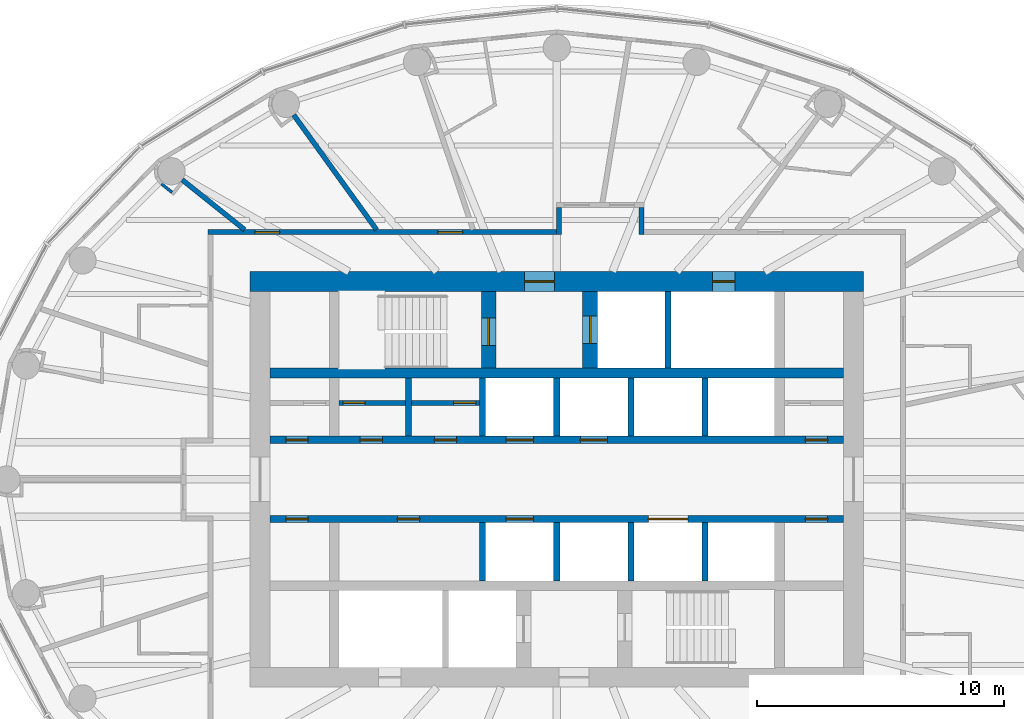
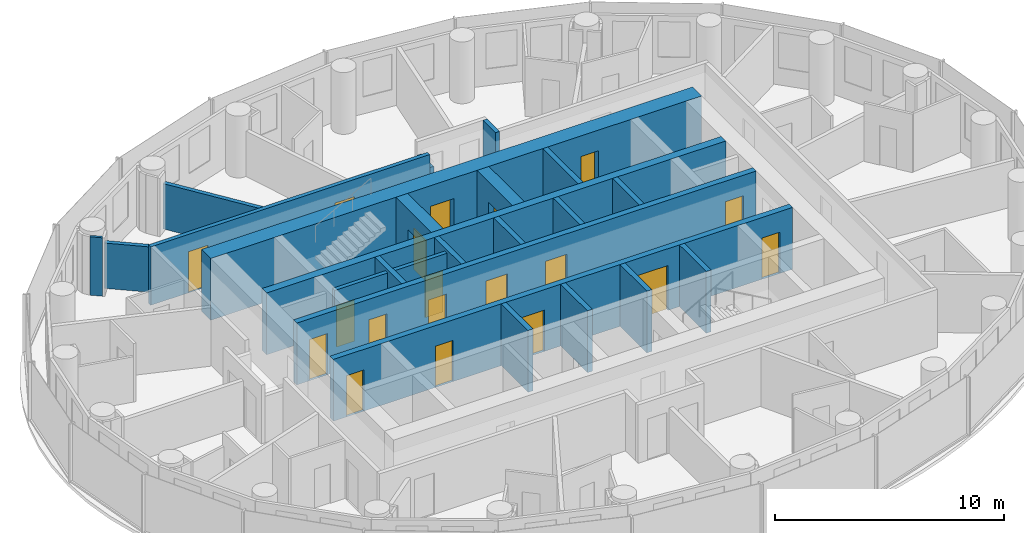
# One storey, part 9 of 13: 24 walls, 19 doors, 19 openings.
"""IFC4 building model written with IfcOpenShell, lengths in metres."""

from ifc_helpers import new_model, si_unit, direction, frame, frame_2d, origin, place, context, subcontext, project, spatial, rectangle, extrude, material, layer, layer_set, type_object, element, fill, save


model = new_model("IFC4")

# Units and contexts
model_context = context("Model", 3, precision=1e-05, world=origin(), true_north=direction((0.0, 1.0)))
body_context = subcontext(model_context, "Body", "Model", "MODEL_VIEW")
ifc_project = project(units=[si_unit("LENGTHUNIT", "METRE"), si_unit("AREAUNIT", "SQUARE_METRE"), si_unit("VOLUMEUNIT", "CUBIC_METRE"), si_unit("PLANEANGLEUNIT", "RADIAN"), si_unit("MASSUNIT", "GRAM", prefix="KILO")], contexts=[model_context])

# Site, building, storey
site_placement = place(None, origin())
site = spatial("IfcSite", under=ifc_project, at=site_placement, CompositionType="ELEMENT")
building_placement = place(site_placement, origin())
building = spatial("IfcBuilding", under=site, at=building_placement, Name="Hankou Lantern Tower", CompositionType="ELEMENT")
storey_placement = place(building_placement, frame((0.0, 0.0, 156.60009765625)))
storey = spatial("IfcBuildingStorey", under=building, at=storey_placement, Name="L41", CompositionType="ELEMENT", Elevation=156.60009765625)

# Wall, openings, doors
ifc_material_1 = material(Name="Concrete C60", Category="concrete")
ifc_layer_1 = layer(ifc_material_1, 0.800048828125)
ifc_layer_set_1 = layer_set([ifc_layer_1], Name="Concrete C60")
wall_type_1 = type_object("IfcWallType", Name="CW2 CORE WALL 800", PredefinedType="SHEAR", material=ifc_layer_set_1)
wall_1_placement = place(storey_placement, frame((-12.39990234375, 8.0, 0.0), z_axis=(0.0, 0.0, 1.0), x_axis=(1.0, 0.0, 0.0)))
wall_1 = element("IfcWall", 1, at=wall_1_placement, inside=storey, type_object=wall_type_1, Name="Core wall north L41", PredefinedType="SHEAR", context=body_context, shape_type="SweptSolid", body=[
    extrude(rectangle(XDim=24.7998046875, YDim=0.800048828125, at=frame_2d((12.39990234375, 0.0))), origin(), (0.0, 0.0, 1.0), 3.2998046875),
])
opening_1_placement = place(wall_1_placement, frame((11.10009765625, 0.0, 0.0)))
opening_1 = element("IfcOpeningElement", 2, at=opening_1_placement, cuts=wall_1, Name="Opening D5", PredefinedType="OPENING", context=body_context, shape_type="SweptSolid", body=[
    extrude(rectangle(XDim=1.199951171875, YDim=2.199951171875, at=frame_2d((0.60009765625, 1.10009765625))), frame((0.0, 0.409912109375, 0.0), z_axis=(0.0, -1.0, 0.0), x_axis=(1.0, 0.0, 0.0)), (0.0, 0.0, 1.0), 0.820068359375),
])
opening_2_placement = place(wall_1_placement, frame((18.699951171875, 0.0, 0.0)))
opening_2 = element("IfcOpeningElement", 3, at=opening_2_placement, cuts=wall_1, Name="Opening D7", PredefinedType="OPENING", context=body_context, shape_type="SweptSolid", body=[
    extrude(rectangle(XDim=0.89990234375, YDim=2.199951171875, at=frame_2d((0.449951171875, 1.10009765625))), frame((0.0, 0.409912109375, 0.0), z_axis=(0.0, -1.0, 0.0), x_axis=(1.0, 0.0, 0.0)), (0.0, 0.0, 1.0), 0.820068359375),
])
ifc_material_2 = material(Name="Steel door leaf", Category="steel")
door_type_1 = type_object("IfcDoorType", Name="D5 STAIR LOBBY DOOR 1200X2200", OperationType="SINGLE_SWING_LEFT", PredefinedType="DOOR", material=ifc_material_2)
door_1_placement = place(opening_1_placement, origin())
door_1 = element("IfcDoor", 4, at=door_1_placement, inside=storey, type_object=door_type_1, Name="Stair A lobby door", OperationType="SINGLE_SWING_LEFT", OverallHeight=2.199951171875, OverallWidth=1.199951171875, PredefinedType="DOOR", context=body_context, shape_type="SweptSolid", body=[
    extrude(rectangle(XDim=1.199951171875, YDim=2.199951171875, at=frame_2d((0.60009765625, 1.10009765625))), frame((0.0, 0.02490234375, 0.0), z_axis=(0.0, -1.0, 0.0), x_axis=(1.0, 0.0, 0.0)), (0.0, 0.0, 1.0), 0.050048828125),
])
fill(opening_1, door_1)
ifc_material_3 = material(Name="Steel door leaf", Category="steel")
door_type_2 = type_object("IfcDoorType", Name="D7 RISER DOOR 900X2200", OperationType="SINGLE_SWING_LEFT", PredefinedType="DOOR", material=ifc_material_3)
door_2_placement = place(opening_2_placement, origin())
door_2 = element("IfcDoor", 5, at=door_2_placement, inside=storey, type_object=door_type_2, Name="Riser N1 door", OperationType="SINGLE_SWING_RIGHT", OverallHeight=2.199951171875, OverallWidth=0.89990234375, PredefinedType="DOOR", context=body_context, shape_type="SweptSolid", body=[
    extrude(rectangle(XDim=0.89990234375, YDim=2.199951171875, at=frame_2d((0.449951171875, 1.10009765625))), frame((0.0, 0.02490234375, 0.0), z_axis=(0.0, -1.0, 0.0), x_axis=(1.0, 0.0, 0.0)), (0.0, 0.0, 1.0), 0.050048828125),
])
fill(opening_2, door_2)

# Wall
ifc_material_4 = material(Name="Concrete C60", Category="concrete")
ifc_layer_2 = layer(ifc_material_4, 0.39990234375)
ifc_layer_set_2 = layer_set([ifc_layer_2], Name="Concrete C60")
wall_type_2 = type_object("IfcWallType", Name="CW4 CORE CROSS WALL 400", PredefinedType="SHEAR", material=ifc_layer_set_2)
wall_2_placement = place(storey_placement, frame((-11.60009765625, 4.300048828125, 0.0), z_axis=(0.0, 0.0, 1.0), x_axis=(1.0, 0.0, 0.0)))
element("IfcWall", 6, at=wall_2_placement, inside=storey, type_object=wall_type_2, Name="Core band wall north L41", PredefinedType="SHEAR", context=body_context, shape_type="SweptSolid", body=[
    extrude(rectangle(XDim=23.2001953125, YDim=0.39990234375, at=frame_2d((11.60009765625, 0.0))), origin(), (0.0, 0.0, 1.0), 3.2998046875),
])

# Wall, openings, doors
ifc_material_5 = material(Name="Concrete C60", Category="concrete")
ifc_layer_3 = layer(ifc_material_5, 0.300048828125)
ifc_layer_set_3 = layer_set([ifc_layer_3], Name="Concrete C60")
wall_type_3 = type_object("IfcWallType", Name="CW5 LIFT LOBBY WALL 300", PredefinedType="SHEAR", material=ifc_layer_set_3)
wall_3_placement = place(storey_placement, frame((-11.60009765625, 1.60009765625, 0.0), z_axis=(0.0, 0.0, 1.0), x_axis=(1.0, 0.0, 0.0)))
wall_3 = element("IfcWall", 7, at=wall_3_placement, inside=storey, type_object=wall_type_3, Name="Lift lobby wall north L41", PredefinedType="SHEAR", context=body_context, shape_type="SweptSolid", body=[
    extrude(rectangle(XDim=23.2001953125, YDim=0.300048828125, at=frame_2d((11.60009765625, 0.0))), origin(), (0.0, 0.0, 1.0), 3.2998046875),
])
opening_3_placement = place(wall_3_placement, frame((9.550048828125, 0.0, 0.0)))
opening_3 = element("IfcOpeningElement", 8, at=opening_3_placement, cuts=wall_3, Name="Opening LD1", PredefinedType="OPENING", context=body_context, shape_type="SweptSolid", body=[
    extrude(rectangle(XDim=1.10009765625, YDim=2.199951171875, at=frame_2d((0.550048828125, 1.10009765625))), frame((0.0, 0.159912109375, 0.0), z_axis=(0.0, -1.0, 0.0), x_axis=(1.0, 0.0, 0.0)), (0.0, 0.0, 1.0), 0.320068359375),
])
opening_4_placement = place(wall_3_placement, frame((12.550048828125, 0.0, 0.0)))
opening_4 = element("IfcOpeningElement", 9, at=opening_4_placement, cuts=wall_3, Name="Opening LD1", PredefinedType="OPENING", context=body_context, shape_type="SweptSolid", body=[
    extrude(rectangle(XDim=1.10009765625, YDim=2.199951171875, at=frame_2d((0.550048828125, 1.10009765625))), frame((0.0, 0.159912109375, 0.0), z_axis=(0.0, -1.0, 0.0), x_axis=(1.0, 0.0, 0.0)), (0.0, 0.0, 1.0), 0.320068359375),
])
opening_5_placement = place(wall_3_placement, frame((0.64990234375, 0.0, 0.0)))
opening_5 = element("IfcOpeningElement", 10, at=opening_5_placement, cuts=wall_3, Name="Opening D30", PredefinedType="OPENING", context=body_context, shape_type="SweptSolid", body=[
    extrude(rectangle(XDim=0.89990234375, YDim=2.199951171875, at=frame_2d((0.449951171875, 1.10009765625))), frame((0.0, 0.159912109375, 0.0), z_axis=(0.0, -1.0, 0.0), x_axis=(1.0, 0.0, 0.0)), (0.0, 0.0, 1.0), 0.320068359375),
])
opening_6_placement = place(wall_3_placement, frame((21.64990234375, 0.0, 0.0)))
opening_6 = element("IfcOpeningElement", 11, at=opening_6_placement, cuts=wall_3, Name="Opening D30", PredefinedType="OPENING", context=body_context, shape_type="SweptSolid", body=[
    extrude(rectangle(XDim=0.89990234375, YDim=2.199951171875, at=frame_2d((0.449951171875, 1.10009765625))), frame((0.0, 0.159912109375, 0.0), z_axis=(0.0, -1.0, 0.0), x_axis=(1.0, 0.0, 0.0)), (0.0, 0.0, 1.0), 0.320068359375),
])
opening_7_placement = place(wall_3_placement, frame((3.64990234375, 0.0, 0.0)))
opening_7 = element("IfcOpeningElement", 12, at=opening_7_placement, cuts=wall_3, Name="Opening D30", PredefinedType="OPENING", context=body_context, shape_type="SweptSolid", body=[
    extrude(rectangle(XDim=0.89990234375, YDim=2.199951171875, at=frame_2d((0.449951171875, 1.10009765625))), frame((0.0, 0.159912109375, 0.0), z_axis=(0.0, -1.0, 0.0), x_axis=(1.0, 0.0, 0.0)), (0.0, 0.0, 1.0), 0.320068359375),
])
opening_8_placement = place(wall_3_placement, frame((6.64990234375, 0.0, 0.0)))
opening_8 = element("IfcOpeningElement", 13, at=opening_8_placement, cuts=wall_3, Name="Opening D30", PredefinedType="OPENING", context=body_context, shape_type="SweptSolid", body=[
    extrude(rectangle(XDim=0.89990234375, YDim=2.199951171875, at=frame_2d((0.449951171875, 1.10009765625))), frame((0.0, 0.159912109375, 0.0), z_axis=(0.0, -1.0, 0.0), x_axis=(1.0, 0.0, 0.0)), (0.0, 0.0, 1.0), 0.320068359375),
])
ifc_material_6 = material(Name="Steel door leaf", Category="steel")
door_type_3 = type_object("IfcDoorType", Name="D30 CORE ROOM DOOR 900X2200", OperationType="SINGLE_SWING_LEFT", PredefinedType="DOOR", material=ifc_material_6)
door_3_placement = place(opening_5_placement, origin())
door_3 = element("IfcDoor", 14, at=door_3_placement, inside=storey, type_object=door_type_3, Name="Engineering store door", OperationType="SINGLE_SWING_LEFT", OverallHeight=2.199951171875, OverallWidth=0.89990234375, PredefinedType="DOOR", context=body_context, shape_type="SweptSolid", body=[
    extrude(rectangle(XDim=0.89990234375, YDim=2.199951171875, at=frame_2d((0.449951171875, 1.10009765625))), frame((0.0, 0.02490234375, 0.0), z_axis=(0.0, -1.0, 0.0), x_axis=(1.0, 0.0, 0.0)), (0.0, 0.0, 1.0), 0.050048828125),
])
fill(opening_5, door_3)
door_4_placement = place(opening_6_placement, origin())
door_4 = element("IfcDoor", 15, at=door_4_placement, inside=storey, type_object=door_type_3, Name="Cleaner's store door", OperationType="SINGLE_SWING_RIGHT", OverallHeight=2.199951171875, OverallWidth=0.89990234375, PredefinedType="DOOR", context=body_context, shape_type="SweptSolid", body=[
    extrude(rectangle(XDim=0.89990234375, YDim=2.199951171875, at=frame_2d((0.449951171875, 1.10009765625))), frame((0.0, 0.02490234375, 0.0), z_axis=(0.0, -1.0, 0.0), x_axis=(1.0, 0.0, 0.0)), (0.0, 0.0, 1.0), 0.050048828125),
])
fill(opening_6, door_4)
door_5_placement = place(opening_7_placement, origin())
door_5 = element("IfcDoor", 16, at=door_5_placement, inside=storey, type_object=door_type_3, Name="Guest pantry and ice room door", OperationType="SINGLE_SWING_LEFT", OverallHeight=2.199951171875, OverallWidth=0.89990234375, PredefinedType="DOOR", context=body_context, shape_type="SweptSolid", body=[
    extrude(rectangle(XDim=0.89990234375, YDim=2.199951171875, at=frame_2d((0.449951171875, 1.10009765625))), frame((0.0, 0.02490234375, 0.0), z_axis=(0.0, -1.0, 0.0), x_axis=(1.0, 0.0, 0.0)), (0.0, 0.0, 1.0), 0.050048828125),
])
fill(opening_7, door_5)
door_6_placement = place(opening_8_placement, origin())
door_6 = element("IfcDoor", 17, at=door_6_placement, inside=storey, type_object=door_type_3, Name="Room service pantry door", OperationType="SINGLE_SWING_LEFT", OverallHeight=2.199951171875, OverallWidth=0.89990234375, PredefinedType="DOOR", context=body_context, shape_type="SweptSolid", body=[
    extrude(rectangle(XDim=0.89990234375, YDim=2.199951171875, at=frame_2d((0.449951171875, 1.10009765625))), frame((0.0, 0.02490234375, 0.0), z_axis=(0.0, -1.0, 0.0), x_axis=(1.0, 0.0, 0.0)), (0.0, 0.0, 1.0), 0.050048828125),
])
fill(opening_8, door_6)
ifc_material_7 = material(Name="Steel door leaf", Category="steel")
door_type_4 = type_object("IfcDoorType", Name="LD1 LIFT LANDING DOOR 1100X2200", OperationType="DOUBLE_DOOR_SLIDING", PredefinedType="DOOR", material=ifc_material_7)
door_7_placement = place(opening_3_placement, origin())
door_7 = element("IfcDoor", 18, at=door_7_placement, inside=storey, type_object=door_type_4, Name="Lift H1 landing door", OperationType="DOUBLE_DOOR_SLIDING", OverallHeight=2.199951171875, OverallWidth=1.10009765625, PredefinedType="DOOR", context=body_context, shape_type="SweptSolid", body=[
    extrude(rectangle(XDim=1.10009765625, YDim=2.199951171875, at=frame_2d((0.550048828125, 1.10009765625))), frame((0.0, 0.02490234375, 0.0), z_axis=(0.0, -1.0, 0.0), x_axis=(1.0, 0.0, 0.0)), (0.0, 0.0, 1.0), 0.050048828125),
])
fill(opening_3, door_7)
door_8_placement = place(opening_4_placement, origin())
door_8 = element("IfcDoor", 19, at=door_8_placement, inside=storey, type_object=door_type_4, Name="Lift H2 landing door", OperationType="DOUBLE_DOOR_SLIDING", OverallHeight=2.199951171875, OverallWidth=1.10009765625, PredefinedType="DOOR", context=body_context, shape_type="SweptSolid", body=[
    extrude(rectangle(XDim=1.10009765625, YDim=2.199951171875, at=frame_2d((0.550048828125, 1.10009765625))), frame((0.0, 0.02490234375, 0.0), z_axis=(0.0, -1.0, 0.0), x_axis=(1.0, 0.0, 0.0)), (0.0, 0.0, 1.0), 0.050048828125),
])
fill(opening_4, door_8)

wall_4_placement = place(storey_placement, frame((-11.60009765625, -1.60009765625, 0.0), z_axis=(0.0, 0.0, 1.0), x_axis=(1.0, 0.0, 0.0)))
wall_4 = element("IfcWall", 20, at=wall_4_placement, inside=storey, type_object=wall_type_3, Name="Lift lobby wall south L41", PredefinedType="SHEAR", context=body_context, shape_type="SweptSolid", body=[
    extrude(rectangle(XDim=23.2001953125, YDim=0.300048828125, at=frame_2d((11.60009765625, 0.0))), origin(), (0.0, 0.0, 1.0), 3.2998046875),
])
opening_9_placement = place(wall_4_placement, frame((9.550048828125, 0.0, 0.0)))
opening_9 = element("IfcOpeningElement", 21, at=opening_9_placement, cuts=wall_4, Name="Opening LD1", PredefinedType="OPENING", context=body_context, shape_type="SweptSolid", body=[
    extrude(rectangle(XDim=1.10009765625, YDim=2.199951171875, at=frame_2d((0.550048828125, 1.10009765625))), frame((0.0, 0.159912109375, 0.0), z_axis=(0.0, -1.0, 0.0), x_axis=(1.0, 0.0, 0.0)), (0.0, 0.0, 1.0), 0.320068359375),
])
opening_10_placement = place(wall_4_placement, frame((15.300048828125, 0.0, 0.0)))
opening_10 = element("IfcOpeningElement", 22, at=opening_10_placement, cuts=wall_4, Name="Opening LD4", PredefinedType="OPENING", context=body_context, shape_type="SweptSolid", body=[
    extrude(rectangle(XDim=1.60009765625, YDim=2.39990234375, at=frame_2d((0.800048828125, 1.199951171875))), frame((0.0, 0.159912109375, 0.0), z_axis=(0.0, -1.0, 0.0), x_axis=(1.0, 0.0, 0.0)), (0.0, 0.0, 1.0), 0.320068359375),
])
opening_11_placement = place(wall_4_placement, frame((0.64990234375, 0.0, 0.0)))
opening_11 = element("IfcOpeningElement", 23, at=opening_11_placement, cuts=wall_4, Name="Opening D30", PredefinedType="OPENING", context=body_context, shape_type="SweptSolid", body=[
    extrude(rectangle(XDim=0.89990234375, YDim=2.199951171875, at=frame_2d((0.449951171875, 1.10009765625))), frame((0.0, 0.159912109375, 0.0), z_axis=(0.0, -1.0, 0.0), x_axis=(1.0, 0.0, 0.0)), (0.0, 0.0, 1.0), 0.320068359375),
])
opening_12_placement = place(wall_4_placement, frame((5.14990234375, 0.0, 0.0)))
opening_12 = element("IfcOpeningElement", 24, at=opening_12_placement, cuts=wall_4, Name="Opening D30", PredefinedType="OPENING", context=body_context, shape_type="SweptSolid", body=[
    extrude(rectangle(XDim=0.89990234375, YDim=2.199951171875, at=frame_2d((0.449951171875, 1.10009765625))), frame((0.0, 0.159912109375, 0.0), z_axis=(0.0, -1.0, 0.0), x_axis=(1.0, 0.0, 0.0)), (0.0, 0.0, 1.0), 0.320068359375),
])
opening_13_placement = place(wall_4_placement, frame((21.64990234375, 0.0, 0.0)))
opening_13 = element("IfcOpeningElement", 25, at=opening_13_placement, cuts=wall_4, Name="Opening D30", PredefinedType="OPENING", context=body_context, shape_type="SweptSolid", body=[
    extrude(rectangle(XDim=0.89990234375, YDim=2.199951171875, at=frame_2d((0.449951171875, 1.10009765625))), frame((0.0, 0.159912109375, 0.0), z_axis=(0.0, -1.0, 0.0), x_axis=(1.0, 0.0, 0.0)), (0.0, 0.0, 1.0), 0.320068359375),
])
door_9_placement = place(opening_11_placement, origin())
door_9 = element("IfcDoor", 26, at=door_9_placement, inside=storey, type_object=door_type_3, Name="Minibar store door", OperationType="SINGLE_SWING_LEFT", OverallHeight=2.199951171875, OverallWidth=0.89990234375, PredefinedType="DOOR", context=body_context, shape_type="SweptSolid", body=[
    extrude(rectangle(XDim=0.89990234375, YDim=2.199951171875, at=frame_2d((0.449951171875, 1.10009765625))), frame((0.0, 0.02490234375, 0.0), z_axis=(0.0, -1.0, 0.0), x_axis=(1.0, 0.0, 0.0)), (0.0, 0.0, 1.0), 0.050048828125),
])
fill(opening_11, door_9)
door_10_placement = place(opening_12_placement, origin())
door_10 = element("IfcDoor", 27, at=door_10_placement, inside=storey, type_object=door_type_3, Name="Housekeeping and linen store door", OperationType="SINGLE_SWING_LEFT", OverallHeight=2.199951171875, OverallWidth=0.89990234375, PredefinedType="DOOR", context=body_context, shape_type="SweptSolid", body=[
    extrude(rectangle(XDim=0.89990234375, YDim=2.199951171875, at=frame_2d((0.449951171875, 1.10009765625))), frame((0.0, 0.02490234375, 0.0), z_axis=(0.0, -1.0, 0.0), x_axis=(1.0, 0.0, 0.0)), (0.0, 0.0, 1.0), 0.050048828125),
])
fill(opening_12, door_10)
door_11_placement = place(opening_13_placement, origin())
door_11 = element("IfcDoor", 28, at=door_11_placement, inside=storey, type_object=door_type_3, Name="Vending room door", OperationType="SINGLE_SWING_RIGHT", OverallHeight=2.199951171875, OverallWidth=0.89990234375, PredefinedType="DOOR", context=body_context, shape_type="SweptSolid", body=[
    extrude(rectangle(XDim=0.89990234375, YDim=2.199951171875, at=frame_2d((0.449951171875, 1.10009765625))), frame((0.0, 0.02490234375, 0.0), z_axis=(0.0, -1.0, 0.0), x_axis=(1.0, 0.0, 0.0)), (0.0, 0.0, 1.0), 0.050048828125),
])
fill(opening_13, door_11)
door_12_placement = place(opening_9_placement, origin())
door_12 = element("IfcDoor", 29, at=door_12_placement, inside=storey, type_object=door_type_4, Name="Lift H3 landing door", OperationType="DOUBLE_DOOR_SLIDING", OverallHeight=2.199951171875, OverallWidth=1.10009765625, PredefinedType="DOOR", context=body_context, shape_type="SweptSolid", body=[
    extrude(rectangle(XDim=1.10009765625, YDim=2.199951171875, at=frame_2d((0.550048828125, 1.10009765625))), frame((0.0, 0.02490234375, 0.0), z_axis=(0.0, -1.0, 0.0), x_axis=(1.0, 0.0, 0.0)), (0.0, 0.0, 1.0), 0.050048828125),
])
fill(opening_9, door_12)
ifc_material_8 = material(Name="Steel door leaf", Category="steel")
door_type_5 = type_object("IfcDoorType", Name="LD4 SERVICE LIFT LANDING DOOR 1600X2400", OperationType="DOUBLE_DOOR_SLIDING", PredefinedType="DOOR", material=ifc_material_8)
door_13_placement = place(opening_10_placement, origin())
door_13 = element("IfcDoor", 30, at=door_13_placement, inside=storey, type_object=door_type_5, Name="Lift SV1 landing door", OperationType="DOUBLE_DOOR_SLIDING", OverallHeight=2.39990234375, OverallWidth=1.60009765625, PredefinedType="DOOR", context=body_context, shape_type="SweptSolid", body=[
    extrude(rectangle(XDim=1.60009765625, YDim=2.39990234375, at=frame_2d((0.800048828125, 1.199951171875))), frame((0.0, 0.02490234375, 0.0), z_axis=(0.0, -1.0, 0.0), x_axis=(1.0, 0.0, 0.0)), (0.0, 0.0, 1.0), 0.050048828125),
])
fill(opening_10, door_13)

# Wall, opening, door
ifc_material_9 = material(Name="Concrete C60", Category="concrete")
ifc_layer_4 = layer(ifc_material_9, 0.60009765625)
ifc_layer_set_4 = layer_set([ifc_layer_4], Name="Concrete C60")
wall_type_4 = type_object("IfcWallType", Name="CW6 STAIR AND SHAFT WALL 600", PredefinedType="SHEAR", material=ifc_layer_set_4)
wall_5_placement = place(storey_placement, frame((-2.75, 4.5, 0.0), z_axis=(0.0, 0.0, 1.0), x_axis=(0.0, 1.0, 0.0)))
wall_5 = element("IfcWall", 31, at=wall_5_placement, inside=storey, type_object=wall_type_4, Name="Stair wall L41", PredefinedType="SHEAR", context=body_context, shape_type="SweptSolid", body=[
    extrude(rectangle(XDim=3.10009765625, YDim=0.60009765625, at=frame_2d((1.550048828125, 0.0))), origin(), (0.0, 0.0, 1.0), 3.2998046875),
])
opening_14_placement = place(wall_5_placement, frame((0.925048828125, 0.0, 0.0)))
opening_14 = element("IfcOpeningElement", 32, at=opening_14_placement, cuts=wall_5, Name="Opening D4", PredefinedType="OPENING", context=body_context, shape_type="SweptSolid", body=[
    extrude(rectangle(XDim=1.10009765625, YDim=2.199951171875, at=frame_2d((0.550048828125, 1.10009765625))), frame((0.0, 0.31005859375, 0.0), z_axis=(0.0, -1.0, 0.0), x_axis=(1.0, 0.0, 0.0)), (0.0, 0.0, 1.0), 0.6201171875),
])
ifc_material_10 = material(Name="Steel door leaf", Category="steel")
door_type_6 = type_object("IfcDoorType", Name="D4 STAIR DOOR 1100X2200", OperationType="SINGLE_SWING_LEFT", PredefinedType="DOOR", material=ifc_material_10)
door_14_placement = place(opening_14_placement, origin())
door_14 = element("IfcDoor", 33, at=door_14_placement, inside=storey, type_object=door_type_6, Name="Stair A door", OperationType="SINGLE_SWING_LEFT", OverallHeight=2.199951171875, OverallWidth=1.10009765625, PredefinedType="DOOR", context=body_context, shape_type="SweptSolid", body=[
    extrude(rectangle(XDim=1.10009765625, YDim=2.199951171875, at=frame_2d((0.550048828125, 1.10009765625))), frame((0.0, 0.02490234375, 0.0), z_axis=(0.0, -1.0, 0.0), x_axis=(1.0, 0.0, 0.0)), (0.0, 0.0, 1.0), 0.050048828125),
])
fill(opening_14, door_14)

wall_6_placement = place(storey_placement, frame((1.35009765625, 4.5, 0.0), z_axis=(0.0, 0.0, 1.0), x_axis=(0.0, 1.0, 0.0)))
wall_6 = element("IfcWall", 34, at=wall_6_placement, inside=storey, type_object=wall_type_4, Name="Firefighting lift shaft wall L41", PredefinedType="SHEAR", context=body_context, shape_type="SweptSolid", body=[
    extrude(rectangle(XDim=3.10009765625, YDim=0.60009765625, at=frame_2d((1.550048828125, 0.0))), origin(), (0.0, 0.0, 1.0), 3.2998046875),
])
opening_15_placement = place(wall_6_placement, frame((1.0, 0.0, 0.0)))
opening_15 = element("IfcOpeningElement", 35, at=opening_15_placement, cuts=wall_6, Name="Opening LD2", PredefinedType="OPENING", context=body_context, shape_type="SweptSolid", body=[
    extrude(rectangle(XDim=1.10009765625, YDim=2.199951171875, at=frame_2d((0.550048828125, 1.10009765625))), frame((0.0, 0.31005859375, 0.0), z_axis=(0.0, -1.0, 0.0), x_axis=(1.0, 0.0, 0.0)), (0.0, 0.0, 1.0), 0.6201171875),
])
ifc_material_11 = material(Name="Steel door leaf", Category="steel")
door_type_7 = type_object("IfcDoorType", Name="LD2 FIREFIGHTING LIFT LANDING DOOR 1100X2200", OperationType="DOUBLE_DOOR_SLIDING", PredefinedType="DOOR", material=ifc_material_11)
door_15_placement = place(opening_15_placement, origin())
door_15 = element("IfcDoor", 36, at=door_15_placement, inside=storey, type_object=door_type_7, Name="Firefighting lift FL1 landing door", OperationType="DOUBLE_DOOR_SLIDING", OverallHeight=2.199951171875, OverallWidth=1.10009765625, PredefinedType="DOOR", context=body_context, shape_type="SweptSolid", body=[
    extrude(rectangle(XDim=1.10009765625, YDim=2.199951171875, at=frame_2d((0.550048828125, 1.10009765625))), frame((0.0, 0.02490234375, 0.0), z_axis=(0.0, -1.0, 0.0), x_axis=(1.0, 0.0, 0.0)), (0.0, 0.0, 1.0), 0.050048828125),
])
fill(opening_15, door_15)

# Walls
ifc_material_12 = material(Name="Masonry lightweight concrete block", Category="masonry")
ifc_layer_5 = layer(ifc_material_12, 0.199951171875)
ifc_layer_set_5 = layer_set([ifc_layer_5], Name="Masonry lightweight concrete block")
wall_type_5 = type_object("IfcWallType", Name="IW2 CORRIDOR WALL 200", PredefinedType="PARTITIONING", material=ifc_layer_set_5)
wall_7_placement = place(storey_placement, frame((0.093994140625, 9.89990234375, 0.0), z_axis=(0.0, 0.0, 1.0), x_axis=(0.0, 1.0, 0.0)))
element("IfcWall", 37, at=wall_7_placement, inside=storey, type_object=wall_type_5, Name="Corridor alcove wall 4114-4115 left", PredefinedType="PARTITIONING", context=body_context, shape_type="SweptSolid", body=[
    extrude(rectangle(XDim=1.10009765625, YDim=0.199951171875, at=frame_2d((0.550048828125, 0.0))), origin(), (0.0, 0.0, 1.0), 2.419921875),
])
wall_8_placement = place(storey_placement, frame((3.418212890625, 9.89990234375, 0.0), z_axis=(0.0, 0.0, 1.0), x_axis=(0.0, 1.0, 0.0)))
element("IfcWall", 38, at=wall_8_placement, inside=storey, type_object=wall_type_5, Name="Corridor alcove wall 4114-4115 right", PredefinedType="PARTITIONING", context=body_context, shape_type="SweptSolid", body=[
    extrude(rectangle(XDim=1.10009765625, YDim=0.199951171875, at=frame_2d((0.550048828125, 0.0))), origin(), (0.0, 0.0, 1.0), 3.119873046875),
])

# Wall, openings, doors
wall_9_placement = place(storey_placement, frame((-14.10009765625, 10.0, 0.0), z_axis=(0.0, 0.0, 1.0), x_axis=(1.0, 0.0, 0.0)))
wall_9 = element("IfcWall", 39, at=wall_9_placement, inside=storey, type_object=wall_type_5, Name="Corridor wall north", PredefinedType="PARTITIONING", context=body_context, shape_type="SweptSolid", body=[
    extrude(rectangle(XDim=14.09423828125, YDim=0.199951171875, at=frame_2d((7.047119140625, 0.0))), origin(), (0.0, 0.0, 1.0), 3.119873046875),
])
opening_16_placement = place(wall_9_placement, frame((1.89501953125, 0.0, 0.0)))
opening_16 = element("IfcOpeningElement", 40, at=opening_16_placement, cuts=wall_9, Name="Opening D28", PredefinedType="OPENING", context=body_context, shape_type="SweptSolid", body=[
    extrude(rectangle(XDim=1.0, YDim=2.199951171875, at=frame_2d((0.5, 1.10009765625))), frame((0.0, 0.10986328125, 0.0), z_axis=(0.0, -1.0, 0.0), x_axis=(1.0, 0.0, 0.0)), (0.0, 0.0, 1.0), 0.219970703125),
])
opening_17_placement = place(wall_9_placement, frame((9.297119140625, 0.0, 0.0)))
opening_17 = element("IfcOpeningElement", 41, at=opening_17_placement, cuts=wall_9, Name="Opening D28", PredefinedType="OPENING", context=body_context, shape_type="SweptSolid", body=[
    extrude(rectangle(XDim=1.0, YDim=2.199951171875, at=frame_2d((0.5, 1.10009765625))), frame((0.0, 0.10986328125, 0.0), z_axis=(0.0, -1.0, 0.0), x_axis=(1.0, 0.0, 0.0)), (0.0, 0.0, 1.0), 0.219970703125),
])
ifc_material_13 = material(Name="Steel door leaf", Category="steel")
door_type_8 = type_object("IfcDoorType", Name="D28 SERVICE DOOR 1000X2200", OperationType="SINGLE_SWING_LEFT", PredefinedType="DOOR", material=ifc_material_13)
door_16_placement = place(opening_16_placement, origin())
door_16 = element("IfcDoor", 42, at=door_16_placement, inside=storey, type_object=door_type_8, Name="Service door 4101", OperationType="SINGLE_SWING_RIGHT", OverallHeight=2.199951171875, OverallWidth=1.0, PredefinedType="DOOR", context=body_context, shape_type="SweptSolid", body=[
    extrude(rectangle(XDim=1.0, YDim=2.199951171875, at=frame_2d((0.5, 1.10009765625))), frame((0.0, 0.02490234375, 0.0), z_axis=(0.0, -1.0, 0.0), x_axis=(1.0, 0.0, 0.0)), (0.0, 0.0, 1.0), 0.050048828125),
])
fill(opening_16, door_16)
door_17_placement = place(opening_17_placement, origin())
door_17 = element("IfcDoor", 43, at=door_17_placement, inside=storey, type_object=door_type_8, Name="Service door 4116", OperationType="SINGLE_SWING_RIGHT", OverallHeight=2.199951171875, OverallWidth=1.0, PredefinedType="DOOR", context=body_context, shape_type="SweptSolid", body=[
    extrude(rectangle(XDim=1.0, YDim=2.199951171875, at=frame_2d((0.5, 1.10009765625))), frame((0.0, 0.02490234375, 0.0), z_axis=(0.0, -1.0, 0.0), x_axis=(1.0, 0.0, 0.0)), (0.0, 0.0, 1.0), 0.050048828125),
])
fill(opening_17, door_17)

# Walls
ifc_material_14 = material(Name="Masonry lightweight concrete block", Category="masonry")
ifc_layer_6 = layer(ifc_material_14, 0.1201171875)
ifc_layer_set_6 = layer_set([ifc_layer_6], Name="Masonry lightweight concrete block")
wall_type_6 = type_object("IfcWallType", Name="IW4 PARTITION 120", PredefinedType="PARTITIONING", material=ifc_layer_set_6)
wall_10_placement = place(storey_placement, frame((-15.55419921875, 11.60791015625, 0.0), z_axis=(0.0, 0.0, 1.0), x_axis=(-0.780695577787, 0.624911525597, 0.0)))
element("IfcWall", 44, at=wall_10_placement, inside=storey, type_object=wall_type_6, Name="Column casing R10", PredefinedType="PARTITIONING", context=body_context, shape_type="SweptSolid", body=[
    extrude(rectangle(XDim=0.550048828125, YDim=0.1201171875, at=frame_2d((0.27490234375, 0.0))), origin(), (0.0, 0.0, 1.0), 3.119873046875),
])
ifc_material_15 = material(Name="Masonry lightweight concrete block", Category="masonry")
ifc_layer_7 = layer(ifc_material_15, 0.199951171875)
ifc_layer_set_7 = layer_set([ifc_layer_7], Name="Masonry lightweight concrete block")
wall_type_7 = type_object("IfcWallType", Name="IW8 PARTITION 200", PredefinedType="PARTITIONING", material=ifc_layer_set_7)
wall_11_placement = place(storey_placement, frame((-7.2890625, 10.10009765625, 0.0), z_axis=(0.0, 0.0, 1.0), x_axis=(-0.585222595178, 0.810872686735, 0.0)))
element("IfcWall", 45, at=wall_11_placement, inside=storey, type_object=wall_type_7, Name="Partition R09", PredefinedType="PARTITIONING", context=body_context, shape_type="SweptSolid", body=[
    extrude(rectangle(XDim=5.722412109375, YDim=0.199951171875, at=frame_2d((2.861328125, 0.0))), origin(), (0.0, 0.0, 1.0), 2.419921875),
])
wall_12_placement = place(storey_placement, frame((-12.625, 10.10009765625, 0.0), z_axis=(0.0, 0.0, 1.0), x_axis=(-0.780876185034, 0.624685827954, 0.0)))
element("IfcWall", 46, at=wall_12_placement, inside=storey, type_object=wall_type_7, Name="Partition R10", PredefinedType="PARTITIONING", context=body_context, shape_type="SweptSolid", body=[
    extrude(rectangle(XDim=3.229248046875, YDim=0.199951171875, at=frame_2d((1.61474609375, 0.0))), origin(), (0.0, 0.0, 1.0), 2.419921875),
])

# Wall, opening, door
wall_13_placement = place(storey_placement, frame((-8.800048828125, 3.10009765625, 0.0), z_axis=(0.0, 0.0, 1.0), x_axis=(1.0, 0.0, 0.0)))
wall_13 = element("IfcWall", 47, at=wall_13_placement, inside=storey, type_object=wall_type_7, Name="Partition guest pantry and ice room", PredefinedType="PARTITIONING", context=body_context, shape_type="SweptSolid", body=[
    extrude(rectangle(XDim=2.675048828125, YDim=0.199951171875, at=frame_2d((1.33740234375, 0.0))), origin(), (0.0, 0.0, 1.0), 3.119873046875),
])
opening_18_placement = place(wall_13_placement, frame((0.14990234375, 0.0, 0.0)))
opening_18 = element("IfcOpeningElement", 48, at=opening_18_placement, cuts=wall_13, Name="Opening D12", PredefinedType="OPENING", context=body_context, shape_type="SweptSolid", body=[
    extrude(rectangle(XDim=0.89990234375, YDim=2.199951171875, at=frame_2d((0.449951171875, 1.10009765625))), frame((0.0, 0.10986328125, 0.0), z_axis=(0.0, -1.0, 0.0), x_axis=(1.0, 0.0, 0.0)), (0.0, 0.0, 1.0), 0.219970703125),
])
ifc_material_16 = material(Name="Steel door leaf", Category="steel")
door_type_9 = type_object("IfcDoorType", Name="D12 STORE DOOR 900X2200", OperationType="SINGLE_SWING_LEFT", PredefinedType="DOOR", material=ifc_material_16)
door_18_placement = place(opening_18_placement, origin())
door_18 = element("IfcDoor", 49, at=door_18_placement, inside=storey, type_object=door_type_9, Name="Ice machine cupboard door", OperationType="SINGLE_SWING_LEFT", OverallHeight=2.199951171875, OverallWidth=0.89990234375, PredefinedType="DOOR", context=body_context, shape_type="SweptSolid", body=[
    extrude(rectangle(XDim=0.89990234375, YDim=2.199951171875, at=frame_2d((0.449951171875, 1.10009765625))), frame((0.0, 0.02490234375, 0.0), z_axis=(0.0, -1.0, 0.0), x_axis=(1.0, 0.0, 0.0)), (0.0, 0.0, 1.0), 0.050048828125),
])
fill(opening_18, door_18)

wall_14_placement = place(storey_placement, frame((-5.875, 3.10009765625, 0.0), z_axis=(0.0, 0.0, 1.0), x_axis=(1.0, 0.0, 0.0)))
wall_14 = element("IfcWall", 50, at=wall_14_placement, inside=storey, type_object=wall_type_7, Name="Partition room service pantry", PredefinedType="PARTITIONING", context=body_context, shape_type="SweptSolid", body=[
    extrude(rectangle(XDim=2.75, YDim=0.199951171875, at=frame_2d((1.375, 0.0))), origin(), (0.0, 0.0, 1.0), 3.119873046875),
])
opening_19_placement = place(wall_14_placement, frame((1.699951171875, 0.0, 0.0)))
opening_19 = element("IfcOpeningElement", 51, at=opening_19_placement, cuts=wall_14, Name="Opening D12", PredefinedType="OPENING", context=body_context, shape_type="SweptSolid", body=[
    extrude(rectangle(XDim=0.89990234375, YDim=2.199951171875, at=frame_2d((0.449951171875, 1.10009765625))), frame((0.0, 0.10986328125, 0.0), z_axis=(0.0, -1.0, 0.0), x_axis=(1.0, 0.0, 0.0)), (0.0, 0.0, 1.0), 0.219970703125),
])
door_19_placement = place(opening_19_placement, origin())
door_19 = element("IfcDoor", 52, at=door_19_placement, inside=storey, type_object=door_type_9, Name="Room service cupboard door", OperationType="SINGLE_SWING_RIGHT", OverallHeight=2.199951171875, OverallWidth=0.89990234375, PredefinedType="DOOR", context=body_context, shape_type="SweptSolid", body=[
    extrude(rectangle(XDim=0.89990234375, YDim=2.199951171875, at=frame_2d((0.449951171875, 1.10009765625))), frame((0.0, 0.02490234375, 0.0), z_axis=(0.0, -1.0, 0.0), x_axis=(1.0, 0.0, 0.0)), (0.0, 0.0, 1.0), 0.050048828125),
])
fill(opening_19, door_19)

# Walls
ifc_material_17 = material(Name="Masonry autoclaved aerated concrete block", Category="masonry")
ifc_layer_8 = layer(ifc_material_17, 0.25)
ifc_layer_set_8 = layer_set([ifc_layer_8], Name="Masonry autoclaved aerated concrete block")
wall_type_8 = type_object("IfcWallType", Name="SW1 SHAFT BLOCK WALL 250", PredefinedType="PARTITIONING", material=ifc_layer_set_8)
wall_15_placement = place(storey_placement, frame((4.5, 4.5, 0.0), z_axis=(0.0, 0.0, 1.0), x_axis=(0.0, 1.0, 0.0)))
element("IfcWall", 53, at=wall_15_placement, inside=storey, type_object=wall_type_8, Name="Riser wall L41", PredefinedType="PARTITIONING", context=body_context, shape_type="SweptSolid", body=[
    extrude(rectangle(XDim=3.10009765625, YDim=0.25, at=frame_2d((1.550048828125, 0.0))), origin(), (0.0, 0.0, 1.0), 3.2998046875),
])
for number, where, z_axis, x_axis, name in (
    (54, (-6.0, 1.75, 0.0), (0.0, 0.0, 1.0), (0.0, 1.0, 0.0), "Lift shaft wall L41"),
    (55, (-3.0, 1.75, 0.0), (0.0, 0.0, 1.0), (0.0, 1.0, 0.0), "Lift shaft wall L41"),
    (56, (0.0, 1.75, 0.0), (0.0, 0.0, 1.0), (0.0, 1.0, 0.0), "Lift shaft wall L41"),
    (57, (3.0, 1.75, 0.0), (0.0, 0.0, 1.0), (0.0, 1.0, 0.0), "Lift shaft wall L41"),
    (58, (6.0, 1.75, 0.0), (0.0, 0.0, 1.0), (0.0, 1.0, 0.0), "Lift shaft wall L41"),
    (59, (-3.0, -4.10009765625, 0.0), (0.0, 0.0, 1.0), (0.0, 1.0, 0.0), "Lift shaft wall L41"),
    (60, (0.0, -4.10009765625, 0.0), (0.0, 0.0, 1.0), (0.0, 1.0, 0.0), "Lift shaft wall L41"),
    (61, (3.0, -4.10009765625, 0.0), (0.0, 0.0, 1.0), (0.0, 1.0, 0.0), "Lift shaft wall L41"),
    (62, (6.0, -4.10009765625, 0.0), (0.0, 0.0, 1.0), (0.0, 1.0, 0.0), "Lift shaft wall L41"),
):
    element("IfcWall", number, at=place(storey_placement, frame(where, z_axis=z_axis, x_axis=x_axis)), inside=storey, type_object=wall_type_8, Name=name, PredefinedType="PARTITIONING", context=body_context, shape_type="SweptSolid", body=[
        extrude(rectangle(XDim=2.35009765625, YDim=0.25, at=frame_2d((1.175048828125, 0.0))), origin(), (0.0, 0.0, 1.0), 3.2998046875),
    ])

save(model, "model.ifc")
